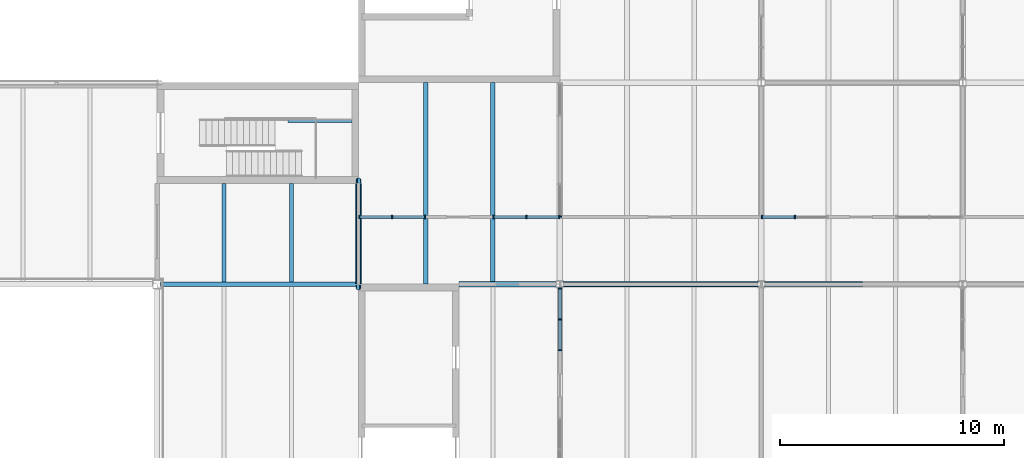
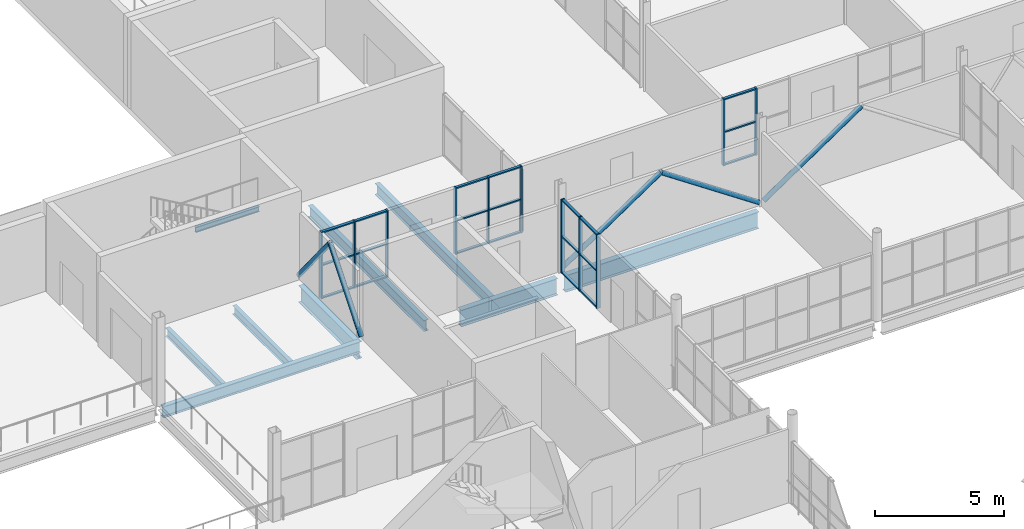
# One storey, part 21 of 57: 38 members, 9 beams, 5 elements without a shape of their own.
"""IFC4 building model written with IfcOpenShell, lengths in metres."""

from ifc_helpers import new_model, si_unit, direction, frame, origin, origin_2d, place, context, subcontext, project, spatial, rectangle, hollow_circle, i_section, extrude, material, layer, layer_set, material_profile, profile_set, type_object, element, aggregate, save


model = new_model("IFC4")

# Units and contexts
model_context = context("Model", 3, precision=1e-05, world=origin(), true_north=direction((0.0, 1.0)))
body_context = subcontext(model_context, "Body", "Model", "MODEL_VIEW")
ifc_project = project(units=[si_unit("LENGTHUNIT", "METRE"), si_unit("AREAUNIT", "SQUARE_METRE"), si_unit("VOLUMEUNIT", "CUBIC_METRE"), si_unit("PLANEANGLEUNIT", "RADIAN"), si_unit("MASSUNIT", "GRAM", prefix="KILO")], contexts=[model_context])

# Site, building, storey
site_placement = place(None, origin())
site = spatial("IfcSite", under=ifc_project, at=site_placement, CompositionType="ELEMENT")
building_placement = place(site_placement, origin())
building = spatial("IfcBuilding", under=site, at=building_placement, Name="Halyard Row Museum", CompositionType="ELEMENT")
storey_placement = place(building_placement, frame((0.0, 0.0, 5.0)))
storey = spatial("IfcBuildingStorey", under=building, at=storey_placement, Name="L01", CompositionType="ELEMENT", Elevation=5.0)

# Members
ifc_material_1 = material(Name="Steel Grade C350L0", Category="steel")
ifc_material_profile_1 = material_profile(ifc_material_1, hollow_circle(Radius=0.109619140625, WallThickness=0.00830078125, at=origin_2d()), Name="219.1x8.2CHS")
ifc_profile_set_1 = profile_set([ifc_material_profile_1], Name="Steel Grade C350L0")
member_type_1 = type_object("IfcMemberType", Name="Brace 219.1x8.2CHS", PredefinedType="BRACE", material=ifc_profile_set_1)
for number, where, z_axis, x_axis, name in (
    (1, (72.0, 35.830078125, 0.109619140625), (0.0, 0.629702501473, 0.776836378936), (-1.0, 0.0, 0.0), "Brace L01 X72 36-40.5 A"),
    (2, (72.0, 40.669921875, 0.109619140625), (0.0, -0.629702501473, 0.776836378936), (1.0, 0.0, 0.0), "Brace L01 X72 36-40.5 B"),
):
    element("IfcMember", number, at=place(storey_placement, frame(where, z_axis=z_axis, x_axis=x_axis)), inside=storey, type_object=member_type_1, Name=name, PredefinedType="BRACE", context=body_context, shape_type="SweptSolid", body=[
        extrude(hollow_circle(Radius=0.109619140625, WallThickness=0.00830078125, at=origin_2d()), origin(), (0.0, 0.0, 1.0), 3.843017578125),
    ])
member_1_placement = place(storey_placement, frame((81.10546875, 36.0, 0.109619140625), z_axis=(0.829104901189, 0.0, 0.559093071702), x_axis=(0.0, 1.0, 0.0)))
element("IfcMember", 3, at=member_1_placement, inside=storey, type_object=member_type_1, Name="Brace L01 Y36 81-90 A", PredefinedType="BRACE", context=body_context, shape_type="SweptSolid", body=[
    extrude(hollow_circle(Radius=0.109619140625, WallThickness=0.00830078125, at=origin_2d()), origin(), (0.0, 0.0, 1.0), 5.30029296875),
])
for number, where, z_axis, x_axis, name in (
    (4, (89.8955078125, 36.0, 0.109619140625), (-0.829162480396, 0.0, 0.559007675353), (0.0, -1.0, 0.0), "Brace L01 Y36 81-90 B"),
    (5, (90.1044921875, 36.0, 0.109619140625), (0.829162480396, 0.0, 0.559007675353), (0.0, 1.0, 0.0), "Brace L01 Y36 90-99 A"),
):
    element("IfcMember", number, at=place(storey_placement, frame(where, z_axis=z_axis, x_axis=x_axis)), inside=storey, type_object=member_type_1, Name=name, PredefinedType="BRACE", context=body_context, shape_type="SweptSolid", body=[
        extrude(hollow_circle(Radius=0.109619140625, WallThickness=0.00830078125, at=origin_2d()), origin(), (0.0, 0.0, 1.0), 5.301025390625),
    ])

# Curtain wall, members
ifc_material_2 = material(Name="Fire-resisting laminated glazing", Category="glass")
ifc_layer = layer(ifc_material_2, 0.159912109375)
ifc_layer_set = layer_set([ifc_layer], Name="Fire-resisting laminated glazing")
curtain_wall_type = type_object("IfcCurtainWallType", Name="Curtain wall atrium screen 160 deep", PredefinedType="NOTDEFINED", material=ifc_layer_set)
curtain_wall_1_placement = place(storey_placement, origin())
curtain_wall_1 = element("IfcCurtainWall", 6, at=curtain_wall_1_placement, inside=storey, type_object=curtain_wall_type, Name="Curtain wall CW145", PredefinedType="NOTDEFINED")
ifc_material_3 = material(Name="Powder-coated aluminium section", Category="aluminium")
ifc_material_profile_2 = material_profile(ifc_material_3, rectangle(XDim=0.159912109375, YDim=0.06005859375, at=origin_2d()), Name="160x60 mullion")
ifc_profile_set_2 = profile_set([ifc_material_profile_2], Name="Powder-coated aluminium section")
member_type_2 = type_object("IfcMemberType", Name="Curtain wall mullion CM5 60 x 160", PredefinedType="MULLION", material=ifc_profile_set_2)
member_2_placement = place(storey_placement, frame((81.0, 33.0498046875, 0.0), z_axis=(0.0, 0.0, 1.0), x_axis=(-1.0, 0.0, 0.0)))
member_2 = element("IfcMember", 7, at=member_2_placement, type_object=member_type_2, Name="CW145 mullion 1", PredefinedType="MULLION", context=body_context, shape_type="SweptSolid", body=[
    extrude(rectangle(XDim=0.159912109375, YDim=0.06005859375, at=origin_2d()), origin(), (0.0, 0.0, 1.0), 3.501953125),
])
member_3_placement = place(storey_placement, frame((81.0, 34.427978515625, 0.0), z_axis=(0.0, 0.0, 1.0), x_axis=(-1.0, 0.0, 0.0)))
member_3 = element("IfcMember", 8, at=member_3_placement, type_object=member_type_2, Name="CW145 mullion 2", PredefinedType="MULLION", context=body_context, shape_type="SweptSolid", body=[
    extrude(rectangle(XDim=0.159912109375, YDim=0.06005859375, at=origin_2d()), origin(), (0.0, 0.0, 1.0), 3.501953125),
])
member_4_placement = place(storey_placement, frame((81.0, 35.806396484375, 0.0), z_axis=(0.0, 0.0, 1.0), x_axis=(-1.0, 0.0, 0.0)))
member_4 = element("IfcMember", 9, at=member_4_placement, type_object=member_type_2, Name="CW145 mullion 3", PredefinedType="MULLION", context=body_context, shape_type="SweptSolid", body=[
    extrude(rectangle(XDim=0.159912109375, YDim=0.06005859375, at=origin_2d()), origin(), (0.0, 0.0, 1.0), 3.501953125),
])

curtain_wall_2_placement = place(storey_placement, origin())
curtain_wall_2 = element("IfcCurtainWall", 10, at=curtain_wall_2_placement, inside=storey, type_object=curtain_wall_type, Name="Curtain wall CW148", PredefinedType="NOTDEFINED")
member_5_placement = place(storey_placement, frame((72.030029296875, 39.0, 0.0), z_axis=(0.0, 0.0, 1.0), x_axis=(0.0, 1.0, 0.0)))
member_5 = element("IfcMember", 11, at=member_5_placement, type_object=member_type_2, Name="CW148 mullion 1", PredefinedType="MULLION", context=body_context, shape_type="SweptSolid", body=[
    extrude(rectangle(XDim=0.159912109375, YDim=0.06005859375, at=origin_2d()), origin(), (0.0, 0.0, 1.0), 3.157958984375),
])
member_6_placement = place(storey_placement, frame((73.5, 39.0, 0.0), z_axis=(0.0, 0.0, 1.0), x_axis=(0.0, 1.0, 0.0)))
member_6 = element("IfcMember", 12, at=member_6_placement, type_object=member_type_2, Name="CW148 mullion 2", PredefinedType="MULLION", context=body_context, shape_type="SweptSolid", body=[
    extrude(rectangle(XDim=0.159912109375, YDim=0.06005859375, at=origin_2d()), origin(), (0.0, 0.0, 1.0), 3.157958984375),
])
member_7_placement = place(storey_placement, frame((74.969970703125, 39.0, 0.0), z_axis=(0.0, 0.0, 1.0), x_axis=(0.0, 1.0, 0.0)))
member_7 = element("IfcMember", 13, at=member_7_placement, type_object=member_type_2, Name="CW148 mullion 3", PredefinedType="MULLION", context=body_context, shape_type="SweptSolid", body=[
    extrude(rectangle(XDim=0.159912109375, YDim=0.06005859375, at=origin_2d()), origin(), (0.0, 0.0, 1.0), 3.157958984375),
])

curtain_wall_3_placement = place(storey_placement, origin())
curtain_wall_3 = element("IfcCurtainWall", 14, at=curtain_wall_3_placement, inside=storey, type_object=curtain_wall_type, Name="Curtain wall CW149", PredefinedType="NOTDEFINED")
member_8_placement = place(storey_placement, frame((78.030029296875, 39.0, 0.0), z_axis=(0.0, 0.0, 1.0), x_axis=(0.0, 1.0, 0.0)))
member_8 = element("IfcMember", 15, at=member_8_placement, type_object=member_type_2, Name="CW149 mullion 1", PredefinedType="MULLION", context=body_context, shape_type="SweptSolid", body=[
    extrude(rectangle(XDim=0.159912109375, YDim=0.06005859375, at=origin_2d()), origin(), (0.0, 0.0, 1.0), 3.157958984375),
])
member_9_placement = place(storey_placement, frame((79.5, 39.0, 0.0), z_axis=(0.0, 0.0, 1.0), x_axis=(0.0, 1.0, 0.0)))
member_9 = element("IfcMember", 16, at=member_9_placement, type_object=member_type_2, Name="CW149 mullion 2", PredefinedType="MULLION", context=body_context, shape_type="SweptSolid", body=[
    extrude(rectangle(XDim=0.159912109375, YDim=0.06005859375, at=origin_2d()), origin(), (0.0, 0.0, 1.0), 3.157958984375),
])
member_10_placement = place(storey_placement, frame((80.969970703125, 39.0, 0.0), z_axis=(0.0, 0.0, 1.0), x_axis=(0.0, 1.0, 0.0)))
member_10 = element("IfcMember", 17, at=member_10_placement, type_object=member_type_2, Name="CW149 mullion 3", PredefinedType="MULLION", context=body_context, shape_type="SweptSolid", body=[
    extrude(rectangle(XDim=0.159912109375, YDim=0.06005859375, at=origin_2d()), origin(), (0.0, 0.0, 1.0), 3.157958984375),
])

curtain_wall_4_placement = place(storey_placement, origin())
curtain_wall_4 = element("IfcCurtainWall", 18, at=curtain_wall_4_placement, inside=storey, type_object=curtain_wall_type, Name="Curtain wall CW150", PredefinedType="NOTDEFINED")
member_11_placement = place(storey_placement, frame((90.030029296875, 39.0, 0.0), z_axis=(0.0, 0.0, 1.0), x_axis=(0.0, 1.0, 0.0)))
member_11 = element("IfcMember", 19, at=member_11_placement, type_object=member_type_2, Name="CW150 mullion 1", PredefinedType="MULLION", context=body_context, shape_type="SweptSolid", body=[
    extrude(rectangle(XDim=0.159912109375, YDim=0.06005859375, at=origin_2d()), origin(), (0.0, 0.0, 1.0), 3.157958984375),
])
member_12_placement = place(storey_placement, frame((91.5, 39.0, 0.0), z_axis=(0.0, 0.0, 1.0), x_axis=(0.0, 1.0, 0.0)))
member_12 = element("IfcMember", 20, at=member_12_placement, type_object=member_type_2, Name="CW150 mullion 2", PredefinedType="MULLION", context=body_context, shape_type="SweptSolid", body=[
    extrude(rectangle(XDim=0.159912109375, YDim=0.06005859375, at=origin_2d()), origin(), (0.0, 0.0, 1.0), 3.157958984375),
])

# Curtain wall, member
curtain_wall_5_placement = place(storey_placement, origin())
curtain_wall_5 = element("IfcCurtainWall", 21, at=curtain_wall_5_placement, inside=storey, type_object=curtain_wall_type, Name="Curtain wall CW152", PredefinedType="NOTDEFINED")
member_13_placement = place(storey_placement, frame((81.0, 39.030029296875, 0.0), z_axis=(0.0, 0.0, 1.0), x_axis=(-1.0, 0.0, 0.0)))
member_13 = element("IfcMember", 22, at=member_13_placement, type_object=member_type_2, Name="CW152 mullion 1", PredefinedType="MULLION", context=body_context, shape_type="SweptSolid", body=[
    extrude(rectangle(XDim=0.159912109375, YDim=0.06005859375, at=origin_2d()), origin(), (0.0, 0.0, 1.0), 2.949951171875),
])
aggregate(curtain_wall_5, [member_13])

# Member
ifc_material_4 = material(Name="Powder-coated aluminium section", Category="aluminium")
ifc_material_profile_3 = material_profile(ifc_material_4, rectangle(XDim=0.1201171875, YDim=0.06005859375, at=origin_2d()), Name="120x60 transom")
ifc_profile_set_3 = profile_set([ifc_material_profile_3], Name="Powder-coated aluminium section")
member_type_3 = type_object("IfcMemberType", Name="Curtain wall transom CT5 60 x 120", PredefinedType="USERDEFINED", material=ifc_profile_set_3)
member_14_placement = place(storey_placement, frame((81.0, 33.079833984375, 0.030029296875), z_axis=(0.0, 1.0, 0.0), x_axis=(-1.0, 0.0, 0.0)))
member_14 = element("IfcMember", 23, at=member_14_placement, type_object=member_type_3, Name="CW145 transom 1.1", ObjectType="TRANSOM", PredefinedType="USERDEFINED", context=body_context, shape_type="SweptSolid", body=[
    extrude(rectangle(XDim=0.1201171875, YDim=0.06005859375, at=origin_2d()), origin(), (0.0, 0.0, 1.0), 1.318359375),
])

member_15_placement = place(storey_placement, frame((81.0, 33.079833984375, 1.7509765625), z_axis=(0.0, 1.0, 0.0), x_axis=(-1.0, 0.0, 0.0)))
member_15 = element("IfcMember", 24, at=member_15_placement, type_object=member_type_3, Name="CW145 transom 1.2", ObjectType="TRANSOM", PredefinedType="USERDEFINED", context=body_context, shape_type="SweptSolid", body=[
    extrude(rectangle(XDim=0.1201171875, YDim=0.06005859375, at=origin_2d()), origin(), (0.0, 0.0, 1.0), 1.318359375),
])

member_16_placement = place(storey_placement, frame((81.0, 33.079833984375, 3.471923828125), z_axis=(0.0, 1.0, 0.0), x_axis=(-1.0, 0.0, 0.0)))
member_16 = element("IfcMember", 25, at=member_16_placement, type_object=member_type_3, Name="CW145 transom 1.3", ObjectType="TRANSOM", PredefinedType="USERDEFINED", context=body_context, shape_type="SweptSolid", body=[
    extrude(rectangle(XDim=0.1201171875, YDim=0.06005859375, at=origin_2d()), origin(), (0.0, 0.0, 1.0), 1.318359375),
])

member_17_placement = place(storey_placement, frame((81.0, 34.4580078125, 0.030029296875), z_axis=(0.0, 1.0, 0.0), x_axis=(-1.0, 0.0, 0.0)))
member_17 = element("IfcMember", 26, at=member_17_placement, type_object=member_type_3, Name="CW145 transom 2.1", ObjectType="TRANSOM", PredefinedType="USERDEFINED", context=body_context, shape_type="SweptSolid", body=[
    extrude(rectangle(XDim=0.1201171875, YDim=0.06005859375, at=origin_2d()), origin(), (0.0, 0.0, 1.0), 1.318359375),
])

member_18_placement = place(storey_placement, frame((81.0, 34.4580078125, 1.7509765625), z_axis=(0.0, 1.0, 0.0), x_axis=(-1.0, 0.0, 0.0)))
member_18 = element("IfcMember", 27, at=member_18_placement, type_object=member_type_3, Name="CW145 transom 2.2", ObjectType="TRANSOM", PredefinedType="USERDEFINED", context=body_context, shape_type="SweptSolid", body=[
    extrude(rectangle(XDim=0.1201171875, YDim=0.06005859375, at=origin_2d()), origin(), (0.0, 0.0, 1.0), 1.318359375),
])

member_19_placement = place(storey_placement, frame((81.0, 34.4580078125, 3.471923828125), z_axis=(0.0, 1.0, 0.0), x_axis=(-1.0, 0.0, 0.0)))
member_19 = element("IfcMember", 28, at=member_19_placement, type_object=member_type_3, Name="CW145 transom 2.3", ObjectType="TRANSOM", PredefinedType="USERDEFINED", context=body_context, shape_type="SweptSolid", body=[
    extrude(rectangle(XDim=0.1201171875, YDim=0.06005859375, at=origin_2d()), origin(), (0.0, 0.0, 1.0), 1.318359375),
])

aggregate(curtain_wall_1, [member_2, member_3, member_4, member_14, member_15, member_16, member_17, member_18, member_19])

member_20_placement = place(storey_placement, frame((72.06005859375, 39.0, 0.030029296875), z_axis=(1.0, 0.0, 0.0), x_axis=(0.0, 1.0, 0.0)))
member_20 = element("IfcMember", 29, at=member_20_placement, type_object=member_type_3, Name="CW148 transom 1.1", ObjectType="TRANSOM", PredefinedType="USERDEFINED", context=body_context, shape_type="SweptSolid", body=[
    extrude(rectangle(XDim=0.1201171875, YDim=0.06005859375, at=origin_2d()), origin(), (0.0, 0.0, 1.0), 1.409912109375),
])

member_21_placement = place(storey_placement, frame((72.06005859375, 39.0, 1.5791015625), z_axis=(1.0, 0.0, 0.0), x_axis=(0.0, 1.0, 0.0)))
member_21 = element("IfcMember", 30, at=member_21_placement, type_object=member_type_3, Name="CW148 transom 1.2", ObjectType="TRANSOM", PredefinedType="USERDEFINED", context=body_context, shape_type="SweptSolid", body=[
    extrude(rectangle(XDim=0.1201171875, YDim=0.06005859375, at=origin_2d()), origin(), (0.0, 0.0, 1.0), 1.409912109375),
])

member_22_placement = place(storey_placement, frame((72.06005859375, 39.0, 3.1279296875), z_axis=(1.0, 0.0, 0.0), x_axis=(0.0, 1.0, 0.0)))
member_22 = element("IfcMember", 31, at=member_22_placement, type_object=member_type_3, Name="CW148 transom 1.3", ObjectType="TRANSOM", PredefinedType="USERDEFINED", context=body_context, shape_type="SweptSolid", body=[
    extrude(rectangle(XDim=0.1201171875, YDim=0.06005859375, at=origin_2d()), origin(), (0.0, 0.0, 1.0), 1.409912109375),
])

member_23_placement = place(storey_placement, frame((73.530029296875, 39.0, 0.030029296875), z_axis=(1.0, 0.0, 0.0), x_axis=(0.0, 1.0, 0.0)))
member_23 = element("IfcMember", 32, at=member_23_placement, type_object=member_type_3, Name="CW148 transom 2.1", ObjectType="TRANSOM", PredefinedType="USERDEFINED", context=body_context, shape_type="SweptSolid", body=[
    extrude(rectangle(XDim=0.1201171875, YDim=0.06005859375, at=origin_2d()), origin(), (0.0, 0.0, 1.0), 1.409912109375),
])

member_24_placement = place(storey_placement, frame((73.530029296875, 39.0, 1.5791015625), z_axis=(1.0, 0.0, 0.0), x_axis=(0.0, 1.0, 0.0)))
member_24 = element("IfcMember", 33, at=member_24_placement, type_object=member_type_3, Name="CW148 transom 2.2", ObjectType="TRANSOM", PredefinedType="USERDEFINED", context=body_context, shape_type="SweptSolid", body=[
    extrude(rectangle(XDim=0.1201171875, YDim=0.06005859375, at=origin_2d()), origin(), (0.0, 0.0, 1.0), 1.409912109375),
])

member_25_placement = place(storey_placement, frame((73.530029296875, 39.0, 3.1279296875), z_axis=(1.0, 0.0, 0.0), x_axis=(0.0, 1.0, 0.0)))
member_25 = element("IfcMember", 34, at=member_25_placement, type_object=member_type_3, Name="CW148 transom 2.3", ObjectType="TRANSOM", PredefinedType="USERDEFINED", context=body_context, shape_type="SweptSolid", body=[
    extrude(rectangle(XDim=0.1201171875, YDim=0.06005859375, at=origin_2d()), origin(), (0.0, 0.0, 1.0), 1.409912109375),
])

aggregate(curtain_wall_2, [member_5, member_6, member_7, member_20, member_21, member_22, member_23, member_24, member_25])

member_26_placement = place(storey_placement, frame((78.06005859375, 39.0, 0.030029296875), z_axis=(1.0, 0.0, 0.0), x_axis=(0.0, 1.0, 0.0)))
member_26 = element("IfcMember", 35, at=member_26_placement, type_object=member_type_3, Name="CW149 transom 1.1", ObjectType="TRANSOM", PredefinedType="USERDEFINED", context=body_context, shape_type="SweptSolid", body=[
    extrude(rectangle(XDim=0.1201171875, YDim=0.06005859375, at=origin_2d()), origin(), (0.0, 0.0, 1.0), 1.409912109375),
])

member_27_placement = place(storey_placement, frame((78.06005859375, 39.0, 1.5791015625), z_axis=(1.0, 0.0, 0.0), x_axis=(0.0, 1.0, 0.0)))
member_27 = element("IfcMember", 36, at=member_27_placement, type_object=member_type_3, Name="CW149 transom 1.2", ObjectType="TRANSOM", PredefinedType="USERDEFINED", context=body_context, shape_type="SweptSolid", body=[
    extrude(rectangle(XDim=0.1201171875, YDim=0.06005859375, at=origin_2d()), origin(), (0.0, 0.0, 1.0), 1.409912109375),
])

member_28_placement = place(storey_placement, frame((78.06005859375, 39.0, 3.1279296875), z_axis=(1.0, 0.0, 0.0), x_axis=(0.0, 1.0, 0.0)))
member_28 = element("IfcMember", 37, at=member_28_placement, type_object=member_type_3, Name="CW149 transom 1.3", ObjectType="TRANSOM", PredefinedType="USERDEFINED", context=body_context, shape_type="SweptSolid", body=[
    extrude(rectangle(XDim=0.1201171875, YDim=0.06005859375, at=origin_2d()), origin(), (0.0, 0.0, 1.0), 1.409912109375),
])

member_29_placement = place(storey_placement, frame((79.530029296875, 39.0, 0.030029296875), z_axis=(1.0, 0.0, 0.0), x_axis=(0.0, 1.0, 0.0)))
member_29 = element("IfcMember", 38, at=member_29_placement, type_object=member_type_3, Name="CW149 transom 2.1", ObjectType="TRANSOM", PredefinedType="USERDEFINED", context=body_context, shape_type="SweptSolid", body=[
    extrude(rectangle(XDim=0.1201171875, YDim=0.06005859375, at=origin_2d()), origin(), (0.0, 0.0, 1.0), 1.409912109375),
])

member_30_placement = place(storey_placement, frame((79.530029296875, 39.0, 1.5791015625), z_axis=(1.0, 0.0, 0.0), x_axis=(0.0, 1.0, 0.0)))
member_30 = element("IfcMember", 39, at=member_30_placement, type_object=member_type_3, Name="CW149 transom 2.2", ObjectType="TRANSOM", PredefinedType="USERDEFINED", context=body_context, shape_type="SweptSolid", body=[
    extrude(rectangle(XDim=0.1201171875, YDim=0.06005859375, at=origin_2d()), origin(), (0.0, 0.0, 1.0), 1.409912109375),
])

member_31_placement = place(storey_placement, frame((79.530029296875, 39.0, 3.1279296875), z_axis=(1.0, 0.0, 0.0), x_axis=(0.0, 1.0, 0.0)))
member_31 = element("IfcMember", 40, at=member_31_placement, type_object=member_type_3, Name="CW149 transom 2.3", ObjectType="TRANSOM", PredefinedType="USERDEFINED", context=body_context, shape_type="SweptSolid", body=[
    extrude(rectangle(XDim=0.1201171875, YDim=0.06005859375, at=origin_2d()), origin(), (0.0, 0.0, 1.0), 1.409912109375),
])

aggregate(curtain_wall_3, [member_8, member_9, member_10, member_26, member_27, member_28, member_29, member_30, member_31])

member_32_placement = place(storey_placement, frame((90.06005859375, 39.0, 0.030029296875), z_axis=(1.0, 0.0, 0.0), x_axis=(0.0, 1.0, 0.0)))
member_32 = element("IfcMember", 41, at=member_32_placement, type_object=member_type_3, Name="CW150 transom 1.1", ObjectType="TRANSOM", PredefinedType="USERDEFINED", context=body_context, shape_type="SweptSolid", body=[
    extrude(rectangle(XDim=0.1201171875, YDim=0.06005859375, at=origin_2d()), origin(), (0.0, 0.0, 1.0), 1.409912109375),
])

member_33_placement = place(storey_placement, frame((90.06005859375, 39.0, 1.5791015625), z_axis=(1.0, 0.0, 0.0), x_axis=(0.0, 1.0, 0.0)))
member_33 = element("IfcMember", 42, at=member_33_placement, type_object=member_type_3, Name="CW150 transom 1.2", ObjectType="TRANSOM", PredefinedType="USERDEFINED", context=body_context, shape_type="SweptSolid", body=[
    extrude(rectangle(XDim=0.1201171875, YDim=0.06005859375, at=origin_2d()), origin(), (0.0, 0.0, 1.0), 1.409912109375),
])

member_34_placement = place(storey_placement, frame((90.06005859375, 39.0, 3.1279296875), z_axis=(1.0, 0.0, 0.0), x_axis=(0.0, 1.0, 0.0)))
member_34 = element("IfcMember", 43, at=member_34_placement, type_object=member_type_3, Name="CW150 transom 1.3", ObjectType="TRANSOM", PredefinedType="USERDEFINED", context=body_context, shape_type="SweptSolid", body=[
    extrude(rectangle(XDim=0.1201171875, YDim=0.06005859375, at=origin_2d()), origin(), (0.0, 0.0, 1.0), 1.409912109375),
])

aggregate(curtain_wall_4, [member_11, member_12, member_32, member_33, member_34])

# Beams
ifc_material_5 = material(Name="Steel Grade 300", Category="steel")
ifc_material_profile_4 = material_profile(ifc_material_5, i_section(OverallWidth=0.208984375, OverallDepth=0.532958984375, WebThickness=0.01025390625, FlangeThickness=0.015625, FilletRadius=0.013916015625, at=origin_2d()), Name="530UB92.4")
ifc_profile_set_4 = profile_set([ifc_material_profile_4], Name="Steel Grade 300")
beam_type_1 = type_object("IfcBeamType", Name="Girder beam 530UB92.4", PredefinedType="BEAM", material=ifc_profile_set_4)
beam_1_placement = place(storey_placement, frame((63.155517578125, 36.0, -0.431396484375), z_axis=(1.0, 0.0, 0.0), x_axis=(0.0, 1.0, 0.0)))
element("IfcBeam", 44, at=beam_1_placement, inside=storey, type_object=beam_type_1, Name="Beam L01-030", PredefinedType="BEAM", context=body_context, shape_type="SweptSolid", body=[
    extrude(i_section(OverallWidth=0.208984375, OverallDepth=0.532958984375, WebThickness=0.01025390625, FlangeThickness=0.015625, FilletRadius=0.013916015625, at=origin_2d()), origin(), (0.0, 0.0, 1.0), 8.844482421875),
])
ifc_material_6 = material(Name="Steel Grade 300", Category="steel")
ifc_material_profile_5 = material_profile(ifc_material_6, i_section(OverallWidth=0.25, OverallDepth=0.7919921875, WebThickness=0.010009765625, FlangeThickness=0.01611328125, at=origin_2d()), Name="800WB122")
ifc_profile_set_5 = profile_set([ifc_material_profile_5], Name="Steel Grade 300")
beam_type_2 = type_object("IfcBeamType", Name="Girder beam 800WB122 (lowered 85)", PredefinedType="BEAM", material=ifc_profile_set_5)
beam_2_placement = place(storey_placement, frame((76.5, 36.0, -0.64599609375), z_axis=(1.0, 0.0, 0.0), x_axis=(0.0, 1.0, 0.0)))
element("IfcBeam", 45, at=beam_2_placement, inside=storey, type_object=beam_type_2, Name="Beam L01-031", PredefinedType="BEAM", context=body_context, shape_type="SweptSolid", body=[
    extrude(i_section(OverallWidth=0.25, OverallDepth=0.7919921875, WebThickness=0.010009765625, FlangeThickness=0.01611328125, at=origin_2d()), origin(), (0.0, 0.0, 1.0), 4.324951171875),
])
beam_3_placement = place(storey_placement, frame((81.175048828125, 36.0, -0.64599609375), z_axis=(1.0, 0.0, 0.0), x_axis=(0.0, 1.0, 0.0)))
element("IfcBeam", 46, at=beam_3_placement, inside=storey, type_object=beam_type_2, Name="Beam L01-032", PredefinedType="BEAM", context=body_context, shape_type="SweptSolid", body=[
    extrude(i_section(OverallWidth=0.25, OverallDepth=0.7919921875, WebThickness=0.010009765625, FlangeThickness=0.01611328125, at=origin_2d()), origin(), (0.0, 0.0, 1.0), 8.66943359375),
])
beam_4_placement = place(storey_placement, frame((72.0, 36.0, -0.64599609375), z_axis=(0.0, 1.0, 0.0), x_axis=(-1.0, 0.0, 0.0)))
element("IfcBeam", 47, at=beam_4_placement, inside=storey, type_object=beam_type_2, Name="Beam L01-064", PredefinedType="BEAM", context=body_context, shape_type="SweptSolid", body=[
    extrude(i_section(OverallWidth=0.25, OverallDepth=0.7919921875, WebThickness=0.010009765625, FlangeThickness=0.01611328125, at=origin_2d()), origin(), (0.0, 0.0, 1.0), 4.5),
])
ifc_material_7 = material(Name="Steel Grade 300", Category="steel")
ifc_material_profile_6 = material_profile(ifc_material_7, i_section(OverallWidth=0.1240234375, OverallDepth=0.248046875, WebThickness=0.0048828125, FlangeThickness=0.008056640625, FilletRadius=0.011962890625, at=origin_2d()), Name="250UB25.7")
ifc_profile_set_6 = profile_set([ifc_material_profile_6], Name="Steel Grade 300")
beam_type_3 = type_object("IfcBeamType", Name="Landing trimmer 250UB25.7", PredefinedType="BEAM", material=ifc_profile_set_6)
beam_5_placement = place(storey_placement, frame((71.702880859375, 43.278076171875, 1.77587890625), z_axis=(-1.0, 0.0, 0.0), x_axis=(0.0, -1.0, 0.0)))
element("IfcBeam", 48, at=beam_5_placement, inside=storey, type_object=beam_type_3, Name="Landing ledger K1B L01 1", PredefinedType="BEAM", context=body_context, shape_type="SweptSolid", body=[
    extrude(i_section(OverallWidth=0.1240234375, OverallDepth=0.248046875, WebThickness=0.0048828125, FlangeThickness=0.008056640625, FilletRadius=0.011962890625, at=origin_2d()), origin(), (0.0, 0.0, 1.0), 2.852783203125),
])
ifc_material_8 = material(Name="Steel Grade 300", Category="steel")
ifc_material_profile_7 = material_profile(ifc_material_8, i_section(OverallWidth=0.177978515625, OverallDepth=0.406494140625, WebThickness=0.0078125, FlangeThickness=0.0126953125, FilletRadius=0.011474609375, at=origin_2d()), Name="410UB59.7")
ifc_profile_set_7 = profile_set([ifc_material_profile_7], Name="Steel Grade 300")
beam_type_4 = type_object("IfcBeamType", Name="Secondary beam 410UB59.7", PredefinedType="BEAM", material=ifc_profile_set_7)
for number, where, z_axis, x_axis, name in (
    (49, (66.0, 36.1044921875, -0.3681640625), (0.0, 1.0, 0.0), (-1.0, 0.0, 0.0), "Beam L01-129"),
    (50, (69.0, 36.1044921875, -0.3681640625), (0.0, 1.0, 0.0), (-1.0, 0.0, 0.0), "Beam L01-130"),
):
    element("IfcBeam", number, at=place(storey_placement, frame(where, z_axis=z_axis, x_axis=x_axis)), inside=storey, type_object=beam_type_4, Name=name, PredefinedType="BEAM", context=body_context, shape_type="SweptSolid", body=[
        extrude(i_section(OverallWidth=0.177978515625, OverallDepth=0.406494140625, WebThickness=0.0078125, FlangeThickness=0.0126953125, FilletRadius=0.011474609375, at=origin_2d()), origin(), (0.0, 0.0, 1.0), 4.3955078125),
    ])
ifc_material_9 = material(Name="Steel Grade 300", Category="steel")
ifc_material_profile_8 = material_profile(ifc_material_9, i_section(OverallWidth=0.208984375, OverallDepth=0.5283203125, WebThickness=0.009521484375, FlangeThickness=0.01318359375, FilletRadius=0.013916015625, at=origin_2d()), Name="530UB82.0")
ifc_profile_set_8 = profile_set([ifc_material_profile_8], Name="Steel Grade 300")
beam_type_5 = type_object("IfcBeamType", Name="Secondary beam 530UB82.0 (lowered 85)", PredefinedType="BEAM", material=ifc_profile_set_8)
beam_6_placement = place(storey_placement, frame((75.0, 36.0, -0.51416015625), z_axis=(0.0, 1.0, 0.0), x_axis=(-1.0, 0.0, 0.0)))
element("IfcBeam", 51, at=beam_6_placement, inside=storey, type_object=beam_type_5, Name="Beam L01-125", PredefinedType="BEAM", context=body_context, shape_type="SweptSolid", body=[
    extrude(i_section(OverallWidth=0.208984375, OverallDepth=0.5283203125, WebThickness=0.009521484375, FlangeThickness=0.01318359375, FilletRadius=0.013916015625, at=origin_2d()), origin(), (0.0, 0.0, 1.0), 9.0),
])
beam_7_placement = place(storey_placement, frame((78.0, 36.125, -0.51416015625), z_axis=(0.0, 1.0, 0.0), x_axis=(-1.0, 0.0, 0.0)))
element("IfcBeam", 52, at=beam_7_placement, inside=storey, type_object=beam_type_5, Name="Beam L01-137", PredefinedType="BEAM", context=body_context, shape_type="SweptSolid", body=[
    extrude(i_section(OverallWidth=0.208984375, OverallDepth=0.5283203125, WebThickness=0.009521484375, FlangeThickness=0.01318359375, FilletRadius=0.013916015625, at=origin_2d()), origin(), (0.0, 0.0, 1.0), 8.875),
])

save(model, "model.ifc")
